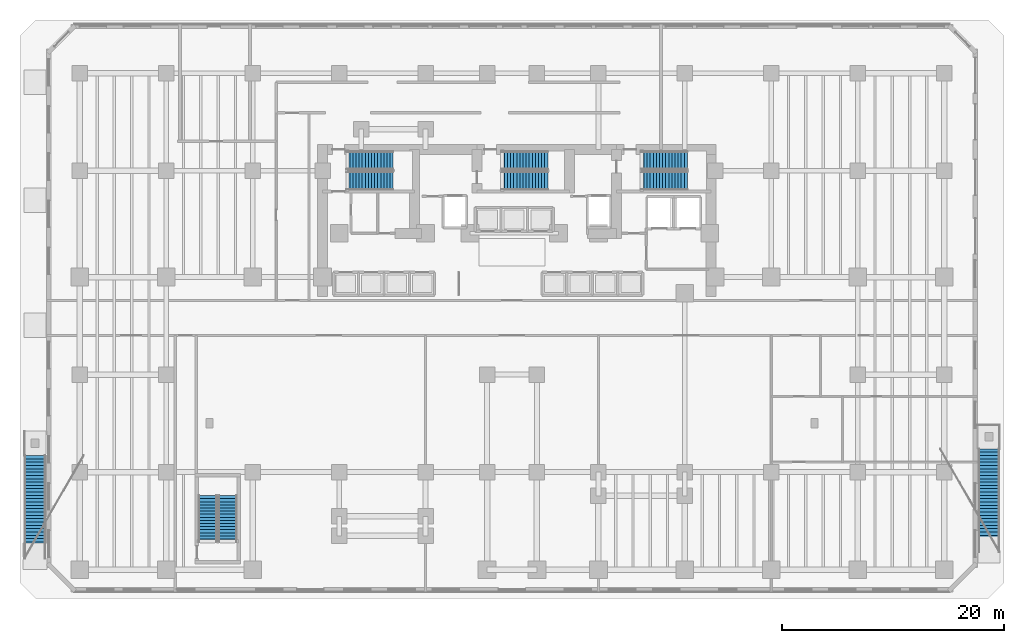
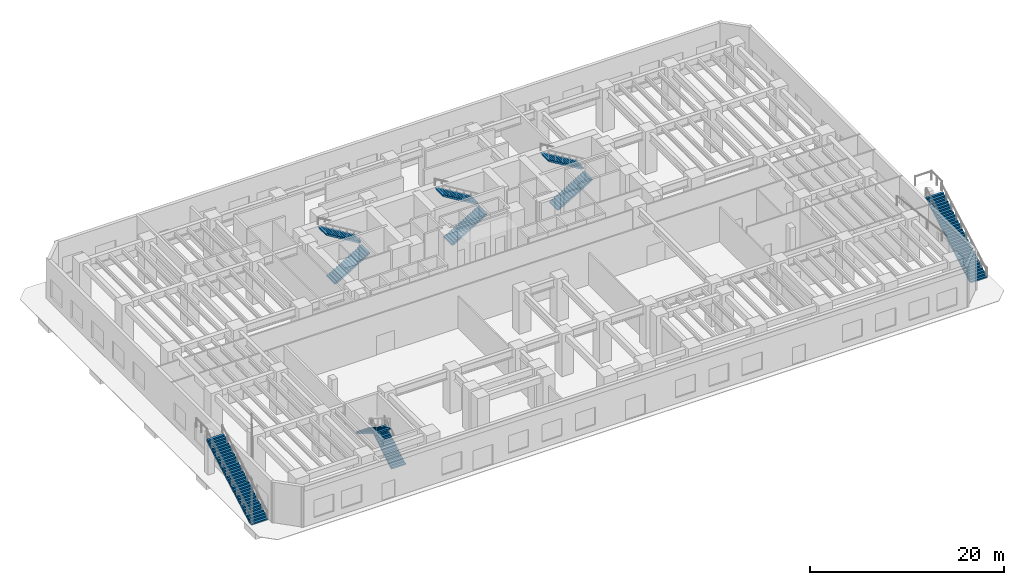
# One storey, part 12 of 17: 10 stair flights, 6 elements without a shape of their own.
"""IFC4 building model written with IfcOpenShell, lengths in metres."""

from ifc_helpers import new_model, si_unit, direction, frame, origin, place, context, subcontext, project, spatial, polyline, outline, extrude, material, type_object, element, aggregate, save


model = new_model("IFC4")

# Units and contexts
model_context = context("Model", 3, precision=1e-05, world=origin(), true_north=direction((0.0, 1.0)))
body_context = subcontext(model_context, "Body", "Model", "MODEL_VIEW")
ifc_project = project(units=[si_unit("LENGTHUNIT", "METRE"), si_unit("AREAUNIT", "SQUARE_METRE"), si_unit("VOLUMEUNIT", "CUBIC_METRE"), si_unit("PLANEANGLEUNIT", "RADIAN"), si_unit("MASSUNIT", "GRAM", prefix="KILO")], contexts=[model_context])

# Site, building, storey
site_placement = place(None, origin())
site = spatial("IfcSite", under=ifc_project, at=site_placement, CompositionType="ELEMENT")
building_placement = place(site_placement, origin())
building = spatial("IfcBuilding", under=site, at=building_placement, Name="Kestravale Grand Hotel", CompositionType="ELEMENT")
storey_placement = place(building_placement, origin())
storey = spatial("IfcBuildingStorey", under=building, at=storey_placement, Name="L00", CompositionType="ELEMENT", Elevation=0.0)

# Stair, stair flights
ifc_material_1 = material(Name="Concrete f'c 45 MPa", Category="concrete")
stair_type_1 = type_object("IfcStairType", Name="ST-CORE-540", PredefinedType="HALF_TURN_STAIR", material=ifc_material_1)
stair_1_placement = place(storey_placement, origin())
stair_1 = element("IfcStair", 1, at=stair_1_placement, inside=storey, type_object=stair_type_1, Name="L00 ST-1", PredefinedType="HALF_TURN_STAIR")
ifc_material_2 = material(Name="Concrete f'c 45 MPa", Category="concrete")
stair_flight_type_1 = type_object("IfcStairFlightType", Name="STF-CORE-540", PredefinedType="STRAIGHT", material=ifc_material_2)
stair_flight_1_placement = place(storey_placement, frame((24.080078125, 37.489990234375, 0.0), z_axis=(0.0, 0.0, 1.0), x_axis=(1.0, 0.0, 0.0)))
stair_flight_1 = element("IfcStairFlight", 2, at=stair_flight_1_placement, type_object=stair_flight_type_1, Name="ST-1 flight 1", NumberOfRisers=16, NumberOfTreads=15, PredefinedType="STRAIGHT", RiserHeight=0.16875, TreadLength=0.28, context=body_context, shape_type="SweptSolid", body=[
    extrude(outline(polyline([(0.0, 0.0), (0.0, 0.168701171875), (0.280029296875, 0.168701171875), (0.280029296875, 0.33740234375), (0.56005859375, 0.33740234375), (0.56005859375, 0.50634765625), (0.840087890625, 0.50634765625), (0.840087890625, 0.675048828125), (1.1201171875, 0.675048828125), (1.1201171875, 0.84375), (1.39990234375, 0.84375), (1.39990234375, 1.012451171875), (1.679931640625, 1.012451171875), (1.679931640625, 1.18115234375), (1.9599609375, 1.18115234375), (1.9599609375, 1.35009765625), (2.239990234375, 1.35009765625), (2.239990234375, 1.518798828125), (2.52001953125, 1.518798828125), (2.52001953125, 1.6875), (2.800048828125, 1.6875), (2.800048828125, 1.856201171875), (3.080078125, 1.856201171875), (3.080078125, 2.02490234375), (3.360107421875, 2.02490234375), (3.360107421875, 2.19384765625), (3.639892578125, 2.19384765625), (3.639892578125, 2.362548828125), (3.919921875, 2.362548828125), (3.919921875, 2.53125), (4.199951171875, 2.53125), (4.199951171875, 2.699951171875), (4.199951171875, 2.356201171875), (0.29052734375, 0.0), (0.0, 0.0)])), frame((0.0, 0.83984375, 0.0), z_axis=(0.0, -1.0, 0.0), x_axis=(1.0, 0.0, 0.0)), (0.0, 0.0, 1.0), 1.679931640625),
])
stair_flight_2_placement = place(storey_placement, frame((28.280029296875, 39.320068359375, 2.699951171875), z_axis=(0.0, 0.0, 1.0), x_axis=(-1.0, 0.0, 0.0)))
stair_flight_2 = element("IfcStairFlight", 3, at=stair_flight_2_placement, type_object=stair_flight_type_1, Name="ST-1 flight 2", NumberOfRisers=16, NumberOfTreads=15, PredefinedType="STRAIGHT", RiserHeight=0.16875, TreadLength=0.28, context=body_context, shape_type="SweptSolid", body=[
    extrude(outline(polyline([(0.0, 0.0), (0.0, 0.168701171875), (0.280029296875, 0.168701171875), (0.280029296875, 0.33740234375), (0.56005859375, 0.33740234375), (0.56005859375, 0.50634765625), (0.840087890625, 0.50634765625), (0.840087890625, 0.675048828125), (1.1201171875, 0.675048828125), (1.1201171875, 0.84375), (1.39990234375, 0.84375), (1.39990234375, 1.012451171875), (1.679931640625, 1.012451171875), (1.679931640625, 1.18115234375), (1.9599609375, 1.18115234375), (1.9599609375, 1.35009765625), (2.239990234375, 1.35009765625), (2.239990234375, 1.518798828125), (2.52001953125, 1.518798828125), (2.52001953125, 1.6875), (2.800048828125, 1.6875), (2.800048828125, 1.856201171875), (3.080078125, 1.856201171875), (3.080078125, 2.02490234375), (3.360107421875, 2.02490234375), (3.360107421875, 2.19384765625), (3.639892578125, 2.19384765625), (3.639892578125, 2.362548828125), (3.919921875, 2.362548828125), (3.919921875, 2.53125), (4.199951171875, 2.53125), (4.199951171875, 2.699951171875), (4.199951171875, 2.356201171875), (0.29052734375, 0.0), (0.0, 0.0)])), frame((0.0, 0.83984375, 0.0), z_axis=(0.0, -1.0, 0.0), x_axis=(1.0, 0.0, 0.0)), (0.0, 0.0, 1.0), 1.679931640625),
])
aggregate(stair_1, [stair_flight_1, stair_flight_2])

stair_2_placement = place(storey_placement, origin())
stair_2 = element("IfcStair", 4, at=stair_2_placement, inside=storey, type_object=stair_type_1, Name="L00 ST-2", PredefinedType="HALF_TURN_STAIR")
stair_flight_3_placement = place(storey_placement, frame((38.030029296875, 37.489990234375, 0.0), z_axis=(0.0, 0.0, 1.0), x_axis=(1.0, 0.0, 0.0)))
stair_flight_3 = element("IfcStairFlight", 5, at=stair_flight_3_placement, type_object=stair_flight_type_1, Name="ST-2 flight 1", NumberOfRisers=16, NumberOfTreads=15, PredefinedType="STRAIGHT", RiserHeight=0.16875, TreadLength=0.28, context=body_context, shape_type="SweptSolid", body=[
    extrude(outline(polyline([(0.0, 0.0), (0.0, 0.168701171875), (0.280029296875, 0.168701171875), (0.280029296875, 0.33740234375), (0.56005859375, 0.33740234375), (0.56005859375, 0.50634765625), (0.840087890625, 0.50634765625), (0.840087890625, 0.675048828125), (1.1201171875, 0.675048828125), (1.1201171875, 0.84375), (1.39990234375, 0.84375), (1.39990234375, 1.012451171875), (1.679931640625, 1.012451171875), (1.679931640625, 1.18115234375), (1.9599609375, 1.18115234375), (1.9599609375, 1.35009765625), (2.239990234375, 1.35009765625), (2.239990234375, 1.518798828125), (2.52001953125, 1.518798828125), (2.52001953125, 1.6875), (2.800048828125, 1.6875), (2.800048828125, 1.856201171875), (3.080078125, 1.856201171875), (3.080078125, 2.02490234375), (3.360107421875, 2.02490234375), (3.360107421875, 2.19384765625), (3.639892578125, 2.19384765625), (3.639892578125, 2.362548828125), (3.919921875, 2.362548828125), (3.919921875, 2.53125), (4.199951171875, 2.53125), (4.199951171875, 2.699951171875), (4.199951171875, 2.356201171875), (0.29052734375, 0.0), (0.0, 0.0)])), frame((0.0, 0.83984375, 0.0), z_axis=(0.0, -1.0, 0.0), x_axis=(1.0, 0.0, 0.0)), (0.0, 0.0, 1.0), 1.679931640625),
])
stair_flight_4_placement = place(storey_placement, frame((42.22998046875, 39.320068359375, 2.699951171875), z_axis=(0.0, 0.0, 1.0), x_axis=(-1.0, 0.0, 0.0)))
stair_flight_4 = element("IfcStairFlight", 6, at=stair_flight_4_placement, type_object=stair_flight_type_1, Name="ST-2 flight 2", NumberOfRisers=16, NumberOfTreads=15, PredefinedType="STRAIGHT", RiserHeight=0.16875, TreadLength=0.28, context=body_context, shape_type="SweptSolid", body=[
    extrude(outline(polyline([(0.0, 0.0), (0.0, 0.168701171875), (0.280029296875, 0.168701171875), (0.280029296875, 0.33740234375), (0.56005859375, 0.33740234375), (0.56005859375, 0.50634765625), (0.840087890625, 0.50634765625), (0.840087890625, 0.675048828125), (1.1201171875, 0.675048828125), (1.1201171875, 0.84375), (1.39990234375, 0.84375), (1.39990234375, 1.012451171875), (1.679931640625, 1.012451171875), (1.679931640625, 1.18115234375), (1.9599609375, 1.18115234375), (1.9599609375, 1.35009765625), (2.239990234375, 1.35009765625), (2.239990234375, 1.518798828125), (2.52001953125, 1.518798828125), (2.52001953125, 1.6875), (2.800048828125, 1.6875), (2.800048828125, 1.856201171875), (3.080078125, 1.856201171875), (3.080078125, 2.02490234375), (3.360107421875, 2.02490234375), (3.360107421875, 2.19384765625), (3.639892578125, 2.19384765625), (3.639892578125, 2.362548828125), (3.919921875, 2.362548828125), (3.919921875, 2.53125), (4.199951171875, 2.53125), (4.199951171875, 2.699951171875), (4.199951171875, 2.356201171875), (0.29052734375, 0.0), (0.0, 0.0)])), frame((0.0, 0.83984375, 0.0), z_axis=(0.0, -1.0, 0.0), x_axis=(1.0, 0.0, 0.0)), (0.0, 0.0, 1.0), 1.679931640625),
])
aggregate(stair_2, [stair_flight_3, stair_flight_4])

stair_3_placement = place(storey_placement, origin())
stair_3 = element("IfcStair", 7, at=stair_3_placement, inside=storey, type_object=stair_type_1, Name="L00 ST-3", PredefinedType="HALF_TURN_STAIR")
stair_flight_5_placement = place(storey_placement, frame((50.6298828125, 37.489990234375, 0.0), z_axis=(0.0, 0.0, 1.0), x_axis=(1.0, 0.0, 0.0)))
stair_flight_5 = element("IfcStairFlight", 8, at=stair_flight_5_placement, type_object=stair_flight_type_1, Name="ST-3 flight 1", NumberOfRisers=16, NumberOfTreads=15, PredefinedType="STRAIGHT", RiserHeight=0.16875, TreadLength=0.28, context=body_context, shape_type="SweptSolid", body=[
    extrude(outline(polyline([(0.0, 0.0), (0.0, 0.168701171875), (0.280029296875, 0.168701171875), (0.280029296875, 0.33740234375), (0.56005859375, 0.33740234375), (0.56005859375, 0.50634765625), (0.840087890625, 0.50634765625), (0.840087890625, 0.675048828125), (1.1201171875, 0.675048828125), (1.1201171875, 0.84375), (1.39990234375, 0.84375), (1.39990234375, 1.012451171875), (1.679931640625, 1.012451171875), (1.679931640625, 1.18115234375), (1.9599609375, 1.18115234375), (1.9599609375, 1.35009765625), (2.239990234375, 1.35009765625), (2.239990234375, 1.518798828125), (2.52001953125, 1.518798828125), (2.52001953125, 1.6875), (2.800048828125, 1.6875), (2.800048828125, 1.856201171875), (3.080078125, 1.856201171875), (3.080078125, 2.02490234375), (3.360107421875, 2.02490234375), (3.360107421875, 2.19384765625), (3.639892578125, 2.19384765625), (3.639892578125, 2.362548828125), (3.919921875, 2.362548828125), (3.919921875, 2.53125), (4.199951171875, 2.53125), (4.199951171875, 2.699951171875), (4.199951171875, 2.356201171875), (0.29052734375, 0.0), (0.0, 0.0)])), frame((0.0, 0.83984375, 0.0), z_axis=(0.0, -1.0, 0.0), x_axis=(1.0, 0.0, 0.0)), (0.0, 0.0, 1.0), 1.679931640625),
])
stair_flight_6_placement = place(storey_placement, frame((54.830078125, 39.320068359375, 2.699951171875), z_axis=(0.0, 0.0, 1.0), x_axis=(-1.0, 0.0, 0.0)))
stair_flight_6 = element("IfcStairFlight", 9, at=stair_flight_6_placement, type_object=stair_flight_type_1, Name="ST-3 flight 2", NumberOfRisers=16, NumberOfTreads=15, PredefinedType="STRAIGHT", RiserHeight=0.16875, TreadLength=0.28, context=body_context, shape_type="SweptSolid", body=[
    extrude(outline(polyline([(0.0, 0.0), (0.0, 0.168701171875), (0.280029296875, 0.168701171875), (0.280029296875, 0.33740234375), (0.56005859375, 0.33740234375), (0.56005859375, 0.50634765625), (0.840087890625, 0.50634765625), (0.840087890625, 0.675048828125), (1.1201171875, 0.675048828125), (1.1201171875, 0.84375), (1.39990234375, 0.84375), (1.39990234375, 1.012451171875), (1.679931640625, 1.012451171875), (1.679931640625, 1.18115234375), (1.9599609375, 1.18115234375), (1.9599609375, 1.35009765625), (2.239990234375, 1.35009765625), (2.239990234375, 1.518798828125), (2.52001953125, 1.518798828125), (2.52001953125, 1.6875), (2.800048828125, 1.6875), (2.800048828125, 1.856201171875), (3.080078125, 1.856201171875), (3.080078125, 2.02490234375), (3.360107421875, 2.02490234375), (3.360107421875, 2.19384765625), (3.639892578125, 2.19384765625), (3.639892578125, 2.362548828125), (3.919921875, 2.362548828125), (3.919921875, 2.53125), (4.199951171875, 2.53125), (4.199951171875, 2.699951171875), (4.199951171875, 2.356201171875), (0.29052734375, 0.0), (0.0, 0.0)])), frame((0.0, 0.83984375, 0.0), z_axis=(0.0, -1.0, 0.0), x_axis=(1.0, 0.0, 0.0)), (0.0, 0.0, 1.0), 1.679931640625),
])
aggregate(stair_3, [stair_flight_5, stair_flight_6])

stair_4_placement = place(storey_placement, origin())
stair_4 = element("IfcStair", 10, at=stair_4_placement, inside=storey, type_object=stair_type_1, Name="L00 ST-4", PredefinedType="HALF_TURN_STAIR")
stair_flight_7_placement = place(storey_placement, frame((13.360107421875, 4.8798828125, 0.0), z_axis=(0.0, 0.0, 1.0), x_axis=(0.0, 1.0, 0.0)))
stair_flight_7 = element("IfcStairFlight", 11, at=stair_flight_7_placement, type_object=stair_flight_type_1, Name="ST-4 flight 1", NumberOfRisers=16, NumberOfTreads=15, PredefinedType="STRAIGHT", RiserHeight=0.16875, TreadLength=0.28, context=body_context, shape_type="SweptSolid", body=[
    extrude(outline(polyline([(0.0, 0.0), (0.0, 0.168701171875), (0.280029296875, 0.168701171875), (0.280029296875, 0.33740234375), (0.56005859375, 0.33740234375), (0.56005859375, 0.50634765625), (0.840087890625, 0.50634765625), (0.840087890625, 0.675048828125), (1.1201171875, 0.675048828125), (1.1201171875, 0.84375), (1.39990234375, 0.84375), (1.39990234375, 1.012451171875), (1.679931640625, 1.012451171875), (1.679931640625, 1.18115234375), (1.9599609375, 1.18115234375), (1.9599609375, 1.35009765625), (2.239990234375, 1.35009765625), (2.239990234375, 1.518798828125), (2.52001953125, 1.518798828125), (2.52001953125, 1.6875), (2.800048828125, 1.6875), (2.800048828125, 1.856201171875), (3.080078125, 1.856201171875), (3.080078125, 2.02490234375), (3.360107421875, 2.02490234375), (3.360107421875, 2.19384765625), (3.639892578125, 2.19384765625), (3.639892578125, 2.362548828125), (3.919921875, 2.362548828125), (3.919921875, 2.53125), (4.199951171875, 2.53125), (4.199951171875, 2.699951171875), (4.199951171875, 2.356201171875), (0.29052734375, 0.0), (0.0, 0.0)])), frame((0.0, 0.83984375, 0.0), z_axis=(0.0, -1.0, 0.0), x_axis=(1.0, 0.0, 0.0)), (0.0, 0.0, 1.0), 1.679931640625),
])
stair_flight_8_placement = place(storey_placement, frame((11.530029296875, 9.080078125, 2.699951171875), z_axis=(0.0, 0.0, 1.0), x_axis=(0.0, -1.0, 0.0)))
stair_flight_8 = element("IfcStairFlight", 12, at=stair_flight_8_placement, type_object=stair_flight_type_1, Name="ST-4 flight 2", NumberOfRisers=16, NumberOfTreads=15, PredefinedType="STRAIGHT", RiserHeight=0.16875, TreadLength=0.28, context=body_context, shape_type="SweptSolid", body=[
    extrude(outline(polyline([(0.0, 0.0), (0.0, 0.168701171875), (0.280029296875, 0.168701171875), (0.280029296875, 0.33740234375), (0.56005859375, 0.33740234375), (0.56005859375, 0.50634765625), (0.840087890625, 0.50634765625), (0.840087890625, 0.675048828125), (1.1201171875, 0.675048828125), (1.1201171875, 0.84375), (1.39990234375, 0.84375), (1.39990234375, 1.012451171875), (1.679931640625, 1.012451171875), (1.679931640625, 1.18115234375), (1.9599609375, 1.18115234375), (1.9599609375, 1.35009765625), (2.239990234375, 1.35009765625), (2.239990234375, 1.518798828125), (2.52001953125, 1.518798828125), (2.52001953125, 1.6875), (2.800048828125, 1.6875), (2.800048828125, 1.856201171875), (3.080078125, 1.856201171875), (3.080078125, 2.02490234375), (3.360107421875, 2.02490234375), (3.360107421875, 2.19384765625), (3.639892578125, 2.19384765625), (3.639892578125, 2.362548828125), (3.919921875, 2.362548828125), (3.919921875, 2.53125), (4.199951171875, 2.53125), (4.199951171875, 2.699951171875), (4.199951171875, 2.356201171875), (0.29052734375, 0.0), (0.0, 0.0)])), frame((0.0, 0.83984375, 0.0), z_axis=(0.0, -1.0, 0.0), x_axis=(1.0, 0.0, 0.0)), (0.0, 0.0, 1.0), 1.679931640625),
])
aggregate(stair_4, [stair_flight_7, stair_flight_8])

# Stair, stair flight
ifc_material_3 = material(Name="Concrete f'c 45 MPa", Category="concrete")
stair_type_2 = type_object("IfcStairType", Name="ST-EXT-GDN", PredefinedType="STRAIGHT_RUN_STAIR", material=ifc_material_3)
stair_5_placement = place(storey_placement, origin())
stair_5 = element("IfcStair", 13, at=stair_5_placement, inside=storey, type_object=stair_type_2, Name="L00 cascading public garden stair 1", PredefinedType="STRAIGHT_RUN_STAIR")
ifc_material_4 = material(Name="Concrete f'c 45 MPa", Category="concrete")
stair_flight_type_2 = type_object("IfcStairFlightType", Name="STF-EXT-GDN", PredefinedType="STRAIGHT", material=ifc_material_4)
stair_flight_9_placement = place(storey_placement, frame((-4.050048828125, 3.39990234375, 0.0), z_axis=(0.0, 0.0, 1.0), x_axis=(0.0, 1.0, 0.0)))
stair_flight_9 = element("IfcStairFlight", 14, at=stair_flight_9_placement, type_object=stair_flight_type_2, Name="ST-G1 flight 1", NumberOfRisers=32, NumberOfTreads=31, PredefinedType="STRAIGHT", RiserHeight=0.16875, TreadLength=0.3, context=body_context, shape_type="SweptSolid", body=[
    extrude(outline(polyline([(0.0, 0.0), (0.0, 0.168701171875), (0.300048828125, 0.168701171875), (0.300048828125, 0.33740234375), (0.60009765625, 0.33740234375), (0.60009765625, 0.50634765625), (0.89990234375, 0.50634765625), (0.89990234375, 0.675048828125), (1.199951171875, 0.675048828125), (1.199951171875, 0.84375), (1.5, 0.84375), (1.5, 1.012451171875), (1.800048828125, 1.012451171875), (1.800048828125, 1.18115234375), (2.10009765625, 1.18115234375), (2.10009765625, 1.35009765625), (2.39990234375, 1.35009765625), (2.39990234375, 1.518798828125), (2.699951171875, 1.518798828125), (2.699951171875, 1.6875), (3.0, 1.6875), (3.0, 1.856201171875), (3.300048828125, 1.856201171875), (3.300048828125, 2.02490234375), (3.60009765625, 2.02490234375), (3.60009765625, 2.19384765625), (3.89990234375, 2.19384765625), (3.89990234375, 2.362548828125), (4.199951171875, 2.362548828125), (4.199951171875, 2.53125), (4.5, 2.53125), (4.5, 2.699951171875), (4.800048828125, 2.699951171875), (4.800048828125, 2.86865234375), (5.10009765625, 2.86865234375), (5.10009765625, 3.03759765625), (5.39990234375, 3.03759765625), (5.39990234375, 3.206298828125), (5.699951171875, 3.206298828125), (5.699951171875, 3.375), (6.0, 3.375), (6.0, 3.543701171875), (6.300048828125, 3.543701171875), (6.300048828125, 3.71240234375), (6.60009765625, 3.71240234375), (6.60009765625, 3.88134765625), (6.89990234375, 3.88134765625), (6.89990234375, 4.050048828125), (7.199951171875, 4.050048828125), (7.199951171875, 4.21875), (7.5, 4.21875), (7.5, 4.387451171875), (7.800048828125, 4.387451171875), (7.800048828125, 4.55615234375), (8.10009765625, 4.55615234375), (8.10009765625, 4.72509765625), (8.39990234375, 4.72509765625), (8.39990234375, 4.893798828125), (8.699951171875, 4.893798828125), (8.699951171875, 5.0625), (9.0, 5.0625), (9.0, 5.231201171875), (9.300048828125, 5.231201171875), (9.300048828125, 5.39990234375), (9.300048828125, 4.978759765625), (0.44873046875, 0.0), (0.0, 0.0)])), frame((0.0, 1.0, 0.0), z_axis=(0.0, -1.0, 0.0), x_axis=(1.0, 0.0, 0.0)), (0.0, 0.0, 1.0), 2.0),
])
aggregate(stair_5, [stair_flight_9])

stair_6_placement = place(storey_placement, origin())
stair_6 = element("IfcStair", 15, at=stair_6_placement, inside=storey, type_object=stair_type_2, Name="L00 east forecourt monumental stair", PredefinedType="STRAIGHT_RUN_STAIR")
stair_flight_10_placement = place(storey_placement, frame((82.050048828125, 4.0, 0.0), z_axis=(0.0, 0.0, 1.0), x_axis=(0.0, 1.0, 0.0)))
stair_flight_10 = element("IfcStairFlight", 16, at=stair_flight_10_placement, type_object=stair_flight_type_2, Name="ST-G5 flight 1", NumberOfRisers=32, NumberOfTreads=31, PredefinedType="STRAIGHT", RiserHeight=0.16875, TreadLength=0.3, context=body_context, shape_type="SweptSolid", body=[
    extrude(outline(polyline([(0.0, 0.0), (0.0, 0.168701171875), (0.300048828125, 0.168701171875), (0.300048828125, 0.33740234375), (0.60009765625, 0.33740234375), (0.60009765625, 0.50634765625), (0.89990234375, 0.50634765625), (0.89990234375, 0.675048828125), (1.199951171875, 0.675048828125), (1.199951171875, 0.84375), (1.5, 0.84375), (1.5, 1.012451171875), (1.800048828125, 1.012451171875), (1.800048828125, 1.18115234375), (2.10009765625, 1.18115234375), (2.10009765625, 1.35009765625), (2.39990234375, 1.35009765625), (2.39990234375, 1.518798828125), (2.699951171875, 1.518798828125), (2.699951171875, 1.6875), (3.0, 1.6875), (3.0, 1.856201171875), (3.300048828125, 1.856201171875), (3.300048828125, 2.02490234375), (3.60009765625, 2.02490234375), (3.60009765625, 2.19384765625), (3.89990234375, 2.19384765625), (3.89990234375, 2.362548828125), (4.199951171875, 2.362548828125), (4.199951171875, 2.53125), (4.5, 2.53125), (4.5, 2.699951171875), (4.800048828125, 2.699951171875), (4.800048828125, 2.86865234375), (5.10009765625, 2.86865234375), (5.10009765625, 3.03759765625), (5.39990234375, 3.03759765625), (5.39990234375, 3.206298828125), (5.699951171875, 3.206298828125), (5.699951171875, 3.375), (6.0, 3.375), (6.0, 3.543701171875), (6.300048828125, 3.543701171875), (6.300048828125, 3.71240234375), (6.60009765625, 3.71240234375), (6.60009765625, 3.88134765625), (6.89990234375, 3.88134765625), (6.89990234375, 4.050048828125), (7.199951171875, 4.050048828125), (7.199951171875, 4.21875), (7.5, 4.21875), (7.5, 4.387451171875), (7.800048828125, 4.387451171875), (7.800048828125, 4.55615234375), (8.10009765625, 4.55615234375), (8.10009765625, 4.72509765625), (8.39990234375, 4.72509765625), (8.39990234375, 4.893798828125), (8.699951171875, 4.893798828125), (8.699951171875, 5.0625), (9.0, 5.0625), (9.0, 5.231201171875), (9.300048828125, 5.231201171875), (9.300048828125, 5.39990234375), (9.300048828125, 4.978759765625), (0.44873046875, 0.0), (0.0, 0.0)])), frame((0.0, 1.0, 0.0), z_axis=(0.0, -1.0, 0.0), x_axis=(1.0, 0.0, 0.0)), (0.0, 0.0, 1.0), 2.0),
])
aggregate(stair_6, [stair_flight_10])

save(model, "model.ifc")
